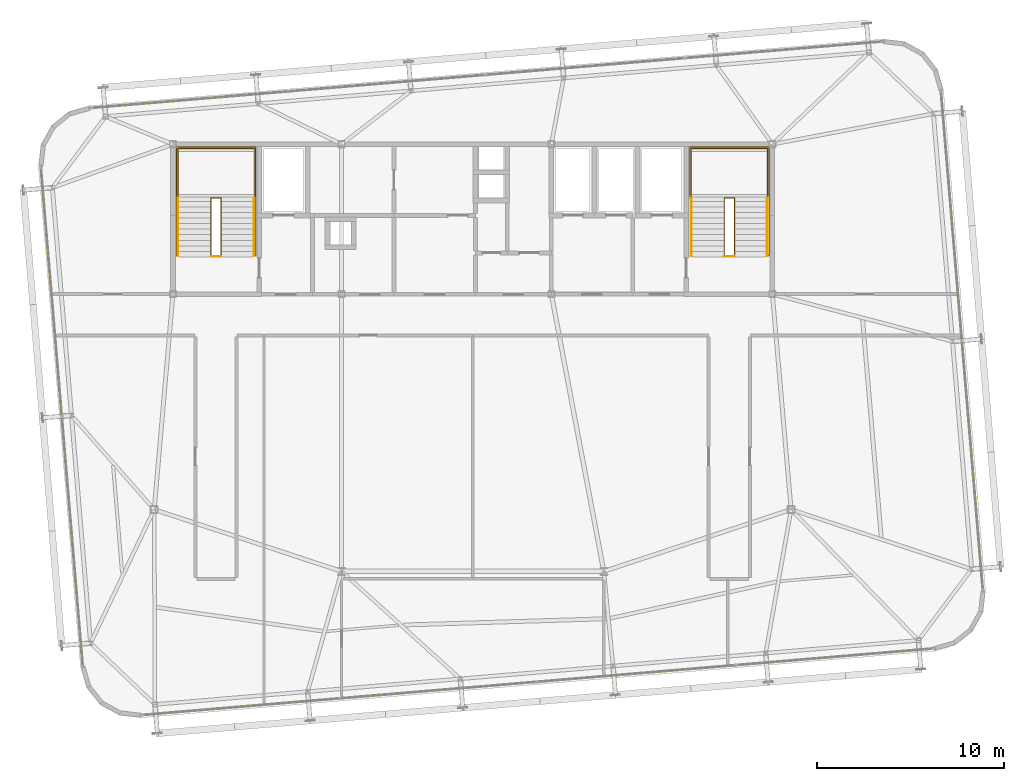
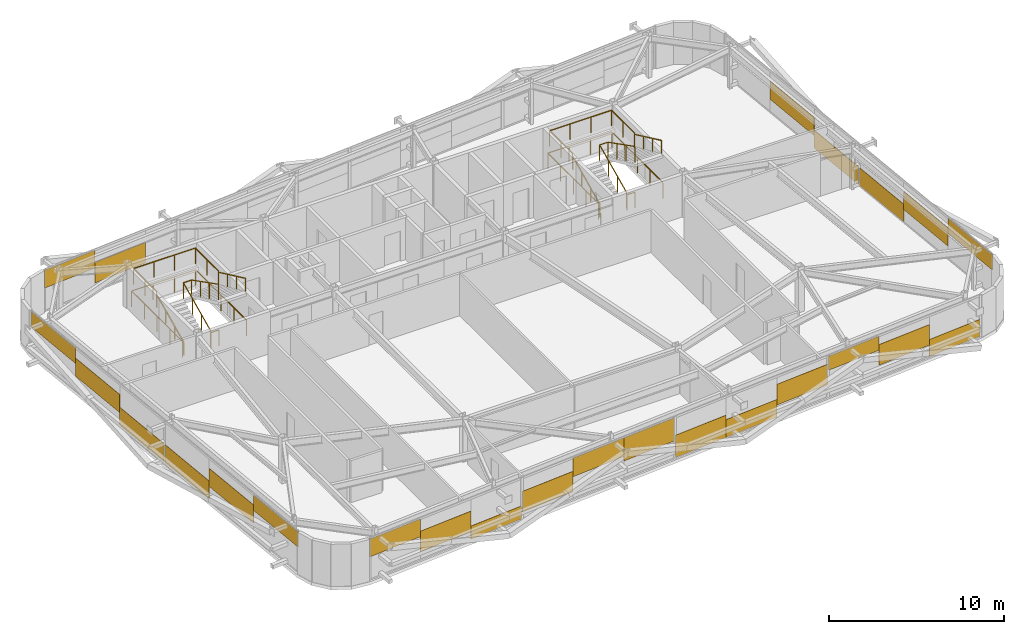
# One storey, part 36 of 37: 25 coverings, 12 railings.
"""IFC4 building model written with IfcOpenShell, lengths in metres."""

from ifc_helpers import new_model, si_unit, direction, frame, origin, origin_2d, place, context, subcontext, project, spatial, rectangle, extrude, source, transform, mapped, material, layer, layer_set, type_object, element, save


model = new_model("IFC4")

# Units and contexts
model_context = context("Model", 3, precision=1e-05, world=origin(), true_north=direction((0.0, 1.0)))
body_context = subcontext(model_context, "Body", "Model", "MODEL_VIEW")
ifc_project = project(units=[si_unit("LENGTHUNIT", "METRE"), si_unit("AREAUNIT", "SQUARE_METRE"), si_unit("VOLUMEUNIT", "CUBIC_METRE"), si_unit("PLANEANGLEUNIT", "RADIAN"), si_unit("MASSUNIT", "GRAM", prefix="KILO")], contexts=[model_context])

# Site, building, storey
site_placement = place(None, origin())
site = spatial("IfcSite", under=ifc_project, at=site_placement, CompositionType="ELEMENT")
building_placement = place(site_placement, origin())
building = spatial("IfcBuilding", under=site, at=building_placement, Name="Taldren Reach Tower", CompositionType="ELEMENT")
storey_placement = place(building_placement, frame((0.0, 0.0, 200.89990234375)))
storey = spatial("IfcBuildingStorey", under=building, at=storey_placement, Name="L61", CompositionType="ELEMENT", Elevation=200.89990234375)

# Railings
ifc_material_1 = material(Name="Steel Gr 350 (C350L0)", Category="steel")
ifc_layer_1 = layer(ifc_material_1, 0.050048828125)
ifc_layer_set_1 = layer_set([ifc_layer_1], Name="Steel Gr 350 (C350L0)")
railing_type_1 = type_object("IfcRailingType", Name="RL-STAIR-GR", PredefinedType="GUARDRAIL", material=ifc_layer_set_1)
railing_1_placement = place(storey_placement, frame((19.260009765625, 29.135009765625, 1.5751953125)))
element("IfcRailing", 1, at=railing_1_placement, inside=storey, type_object=railing_type_1, Name="Stair half-landing perimeter guard ST1-L61", PredefinedType="GUARDRAIL", context=body_context, shape_type="SweptSolid", body=[
    extrude(rectangle(XDim=0.047852, YDim=0.047852, at=origin_2d()), frame((0.0, 0.0, 1.09619140625), z_axis=(0.0, 1.0, 0.0), x_axis=(-1.0, 0.0, 0.0)), (0.0, 0.0, 1.0), 2.64501953125),
    extrude(rectangle(XDim=0.047852, YDim=0.047852, at=origin_2d()), frame((0.0, 2.64501953125, 1.09619140625), z_axis=(1.0, 0.0, 0.0), x_axis=(0.0, 1.0, 0.0)), (0.0, 0.0, 1.0), 4.080078125),
    extrude(rectangle(XDim=0.047852, YDim=0.047852, at=origin_2d()), frame((4.080078125, 2.64501953125, 1.09619140625), z_axis=(0.0, -1.0, 0.0), x_axis=(1.0, 0.0, 0.0)), (0.0, 0.0, 1.0), 2.64501953125),
    extrude(rectangle(XDim=0.041992, YDim=0.041992, at=origin_2d()), origin(), (0.0, 0.0, 1.0), 1.072021484375),
    extrude(rectangle(XDim=0.041992, YDim=0.041992, at=origin_2d()), frame((0.0, 1.322509765625, 0.0)), (0.0, 0.0, 1.0), 1.072021484375),
    extrude(rectangle(XDim=0.041992, YDim=0.041992, at=origin_2d()), frame((0.0, 2.64501953125, 0.0)), (0.0, 0.0, 1.0), 1.072021484375),
    extrude(rectangle(XDim=0.041992, YDim=0.041992, at=origin_2d()), frame((1.360107421875, 2.64501953125, 0.0)), (0.0, 0.0, 1.0), 1.072021484375),
    extrude(rectangle(XDim=0.041992, YDim=0.041992, at=origin_2d()), frame((2.719970703125, 2.64501953125, 0.0)), (0.0, 0.0, 1.0), 1.072021484375),
    extrude(rectangle(XDim=0.041992, YDim=0.041992, at=origin_2d()), frame((4.080078125, 2.64501953125, 0.0)), (0.0, 0.0, 1.0), 1.072021484375),
    extrude(rectangle(XDim=0.041992, YDim=0.041992, at=origin_2d()), frame((4.080078125, 1.322509765625, 0.0)), (0.0, 0.0, 1.0), 1.072021484375),
    extrude(rectangle(XDim=0.041992, YDim=0.041992, at=origin_2d()), frame((4.080078125, 0.0, 0.0)), (0.0, 0.0, 1.0), 1.072021484375),
])
railing_2_placement = place(storey_placement, frame((21.030029296875, 26.050048828125, 0.13134765625)))
element("IfcRailing", 2, at=railing_2_placement, inside=storey, type_object=railing_type_1, Name="Stairwell inner guard ST1-L61", PredefinedType="GUARDRAIL", context=body_context, shape_type="SweptSolid", body=[
    extrude(rectangle(XDim=0.047852, YDim=0.047852, at=origin_2d()), frame((0.0, 0.0, 1.09619140625), z_axis=(0.0, 0.905710134349, 0.423897573167), x_axis=(-1.0, 0.0, 0.0)), (0.0, 0.0, 1.0), 3.406005859375),
    extrude(rectangle(XDim=0.047852, YDim=0.047852, at=origin_2d()), frame((0.0, 3.0849609375, 2.5400390625), z_axis=(1.0, 0.0, 0.0), x_axis=(0.0, 1.0, 0.0)), (0.0, 0.0, 1.0), 0.5400390625),
    extrude(rectangle(XDim=0.047852, YDim=0.047852, at=origin_2d()), frame((0.5400390625, 3.0849609375, 2.5400390625), z_axis=(0.0, -0.890645957773, 0.45469745755), x_axis=(1.0, 0.0, 0.0)), (0.0, 0.0, 1.0), 3.463623046875),
    extrude(rectangle(XDim=0.041992, YDim=0.041992, at=origin_2d()), origin(), (0.0, 0.0, 1.0), 1.072021484375),
    extrude(rectangle(XDim=0.041992, YDim=0.041992, at=origin_2d()), frame((0.0, 1.0283203125, 0.481201171875)), (0.0, 0.0, 1.0), 1.072021484375),
    extrude(rectangle(XDim=0.041992, YDim=0.041992, at=origin_2d()), frame((0.0, 2.056640625, 0.962646484375)), (0.0, 0.0, 1.0), 1.072021484375),
    extrude(rectangle(XDim=0.041992, YDim=0.041992, at=origin_2d()), frame((0.0, 3.0849609375, 1.44384765625)), (0.0, 0.0, 1.0), 1.072021484375),
    extrude(rectangle(XDim=0.041992, YDim=0.041992, at=origin_2d()), frame((0.5400390625, 3.0849609375, 1.44384765625)), (0.0, 0.0, 1.0), 1.072021484375),
    extrude(rectangle(XDim=0.041992, YDim=0.041992, at=origin_2d()), frame((0.5400390625, 2.056640625, 1.96875)), (0.0, 0.0, 1.0), 1.072021484375),
    extrude(rectangle(XDim=0.041992, YDim=0.041992, at=origin_2d()), frame((0.5400390625, 1.0283203125, 2.493896484375)), (0.0, 0.0, 1.0), 1.072021484375),
    extrude(rectangle(XDim=0.041992, YDim=0.041992, at=origin_2d()), frame((0.5400390625, 0.0, 3.018798828125)), (0.0, 0.0, 1.0), 1.072021484375),
])
railing_3_placement = place(storey_placement, frame((21.030029296875, 26.010009765625, 0.0)))
element("IfcRailing", 3, at=railing_3_placement, inside=storey, type_object=railing_type_1, Name="Stairwell landing slot guard ST1-L61", PredefinedType="GUARDRAIL", context=body_context, shape_type="SweptSolid", body=[
    extrude(rectangle(XDim=0.047852, YDim=0.047852, at=origin_2d()), frame((0.0, 0.0, 1.09619140625), z_axis=(1.0, 0.0, 0.0), x_axis=(0.0, 1.0, 0.0)), (0.0, 0.0, 1.0), 0.5400390625),
    extrude(rectangle(XDim=0.041992, YDim=0.041992, at=origin_2d()), origin(), (0.0, 0.0, 1.0), 1.072021484375),
    extrude(rectangle(XDim=0.041992, YDim=0.041992, at=origin_2d()), frame((0.5400390625, 0.0, 0.0)), (0.0, 0.0, 1.0), 1.072021484375),
])
railing_4_placement = place(storey_placement, frame((19.18994140625, 26.050048828125, 0.0)))
element("IfcRailing", 4, at=railing_4_placement, inside=storey, type_object=railing_type_1, Name="Stairwell floor opening guard ST1-L61", PredefinedType="GUARDRAIL", context=body_context, shape_type="SweptSolid", body=[
    extrude(rectangle(XDim=0.047852, YDim=0.047852, at=origin_2d()), frame((0.0, 0.0, 1.09619140625), z_axis=(0.0, 1.0, 0.0), x_axis=(-1.0, 0.0, 0.0)), (0.0, 0.0, 1.0), 5.800048828125),
    extrude(rectangle(XDim=0.047852, YDim=0.047852, at=origin_2d()), frame((0.0, 5.800048828125, 1.09619140625), z_axis=(1.0, 0.0, 0.0), x_axis=(0.0, 1.0, 0.0)), (0.0, 0.0, 1.0), 4.219970703125),
    extrude(rectangle(XDim=0.047852, YDim=0.047852, at=origin_2d()), frame((4.219970703125, 5.800048828125, 1.09619140625), z_axis=(0.0, -1.0, 0.0), x_axis=(1.0, 0.0, 0.0)), (0.0, 0.0, 1.0), 5.800048828125),
    extrude(rectangle(XDim=0.041992, YDim=0.041992, at=origin_2d()), origin(), (0.0, 0.0, 1.0), 1.072021484375),
    extrude(rectangle(XDim=0.041992, YDim=0.041992, at=origin_2d()), frame((0.0, 1.449951171875, 0.0)), (0.0, 0.0, 1.0), 1.072021484375),
    extrude(rectangle(XDim=0.041992, YDim=0.041992, at=origin_2d()), frame((0.0, 2.89990234375, 0.0)), (0.0, 0.0, 1.0), 1.072021484375),
    extrude(rectangle(XDim=0.041992, YDim=0.041992, at=origin_2d()), frame((0.0, 4.35009765625, 0.0)), (0.0, 0.0, 1.0), 1.072021484375),
    extrude(rectangle(XDim=0.041992, YDim=0.041992, at=origin_2d()), frame((0.0, 5.800048828125, 0.0)), (0.0, 0.0, 1.0), 1.072021484375),
    extrude(rectangle(XDim=0.041992, YDim=0.041992, at=origin_2d()), frame((1.40673828125, 5.800048828125, 0.0)), (0.0, 0.0, 1.0), 1.072021484375),
    extrude(rectangle(XDim=0.041992, YDim=0.041992, at=origin_2d()), frame((2.813232421875, 5.800048828125, 0.0)), (0.0, 0.0, 1.0), 1.072021484375),
    extrude(rectangle(XDim=0.041992, YDim=0.041992, at=origin_2d()), frame((4.219970703125, 5.800048828125, 0.0)), (0.0, 0.0, 1.0), 1.072021484375),
    extrude(rectangle(XDim=0.041992, YDim=0.041992, at=origin_2d()), frame((4.219970703125, 4.35009765625, 0.0)), (0.0, 0.0, 1.0), 1.072021484375),
    extrude(rectangle(XDim=0.041992, YDim=0.041992, at=origin_2d()), frame((4.219970703125, 2.89990234375, 0.0)), (0.0, 0.0, 1.0), 1.072021484375),
    extrude(rectangle(XDim=0.041992, YDim=0.041992, at=origin_2d()), frame((4.219970703125, 1.449951171875, 0.0)), (0.0, 0.0, 1.0), 1.072021484375),
    extrude(rectangle(XDim=0.041992, YDim=0.041992, at=origin_2d()), frame((4.219970703125, 0.0, 0.0)), (0.0, 0.0, 1.0), 1.072021484375),
])
railing_5_placement = place(storey_placement, frame((46.659912109375, 29.135009765625, 1.5751953125)))
element("IfcRailing", 5, at=railing_5_placement, inside=storey, type_object=railing_type_1, Name="Stair half-landing perimeter guard ST2-L61", PredefinedType="GUARDRAIL", context=body_context, shape_type="SweptSolid", body=[
    extrude(rectangle(XDim=0.047852, YDim=0.047852, at=origin_2d()), frame((0.0, 0.0, 1.09619140625), z_axis=(0.0, 1.0, 0.0), x_axis=(-1.0, 0.0, 0.0)), (0.0, 0.0, 1.0), 2.64501953125),
    extrude(rectangle(XDim=0.047852, YDim=0.047852, at=origin_2d()), frame((0.0, 2.64501953125, 1.09619140625), z_axis=(1.0, 0.0, 0.0), x_axis=(0.0, 1.0, 0.0)), (0.0, 0.0, 1.0), 4.080078125),
    extrude(rectangle(XDim=0.047852, YDim=0.047852, at=origin_2d()), frame((4.080078125, 2.64501953125, 1.09619140625), z_axis=(0.0, -1.0, 0.0), x_axis=(1.0, 0.0, 0.0)), (0.0, 0.0, 1.0), 2.64501953125),
    extrude(rectangle(XDim=0.041992, YDim=0.041992, at=origin_2d()), origin(), (0.0, 0.0, 1.0), 1.072021484375),
    extrude(rectangle(XDim=0.041992, YDim=0.041992, at=origin_2d()), frame((0.0, 1.322509765625, 0.0)), (0.0, 0.0, 1.0), 1.072021484375),
    extrude(rectangle(XDim=0.041992, YDim=0.041992, at=origin_2d()), frame((0.0, 2.64501953125, 0.0)), (0.0, 0.0, 1.0), 1.072021484375),
    extrude(rectangle(XDim=0.041992, YDim=0.041992, at=origin_2d()), frame((1.360107421875, 2.64501953125, 0.0)), (0.0, 0.0, 1.0), 1.072021484375),
    extrude(rectangle(XDim=0.041992, YDim=0.041992, at=origin_2d()), frame((2.719970703125, 2.64501953125, 0.0)), (0.0, 0.0, 1.0), 1.072021484375),
    extrude(rectangle(XDim=0.041992, YDim=0.041992, at=origin_2d()), frame((4.080078125, 2.64501953125, 0.0)), (0.0, 0.0, 1.0), 1.072021484375),
    extrude(rectangle(XDim=0.041992, YDim=0.041992, at=origin_2d()), frame((4.080078125, 1.322509765625, 0.0)), (0.0, 0.0, 1.0), 1.072021484375),
    extrude(rectangle(XDim=0.041992, YDim=0.041992, at=origin_2d()), frame((4.080078125, 0.0, 0.0)), (0.0, 0.0, 1.0), 1.072021484375),
])
railing_6_placement = place(storey_placement, frame((48.429931640625, 26.050048828125, 0.13134765625)))
element("IfcRailing", 6, at=railing_6_placement, inside=storey, type_object=railing_type_1, Name="Stairwell inner guard ST2-L61", PredefinedType="GUARDRAIL", context=body_context, shape_type="SweptSolid", body=[
    extrude(rectangle(XDim=0.047852, YDim=0.047852, at=origin_2d()), frame((0.0, 0.0, 1.09619140625), z_axis=(0.0, 0.905710134349, 0.423897573167), x_axis=(-1.0, 0.0, 0.0)), (0.0, 0.0, 1.0), 3.406005859375),
    extrude(rectangle(XDim=0.047852, YDim=0.047852, at=origin_2d()), frame((0.0, 3.0849609375, 2.5400390625), z_axis=(1.0, 0.0, 0.0), x_axis=(0.0, 1.0, 0.0)), (0.0, 0.0, 1.0), 0.5400390625),
    extrude(rectangle(XDim=0.047852, YDim=0.047852, at=origin_2d()), frame((0.5400390625, 3.0849609375, 2.5400390625), z_axis=(0.0, -0.890645957773, 0.45469745755), x_axis=(1.0, 0.0, 0.0)), (0.0, 0.0, 1.0), 3.463623046875),
    extrude(rectangle(XDim=0.041992, YDim=0.041992, at=origin_2d()), origin(), (0.0, 0.0, 1.0), 1.072021484375),
    extrude(rectangle(XDim=0.041992, YDim=0.041992, at=origin_2d()), frame((0.0, 1.0283203125, 0.481201171875)), (0.0, 0.0, 1.0), 1.072021484375),
    extrude(rectangle(XDim=0.041992, YDim=0.041992, at=origin_2d()), frame((0.0, 2.056640625, 0.962646484375)), (0.0, 0.0, 1.0), 1.072021484375),
    extrude(rectangle(XDim=0.041992, YDim=0.041992, at=origin_2d()), frame((0.0, 3.0849609375, 1.44384765625)), (0.0, 0.0, 1.0), 1.072021484375),
    extrude(rectangle(XDim=0.041992, YDim=0.041992, at=origin_2d()), frame((0.5400390625, 3.0849609375, 1.44384765625)), (0.0, 0.0, 1.0), 1.072021484375),
    extrude(rectangle(XDim=0.041992, YDim=0.041992, at=origin_2d()), frame((0.5400390625, 2.056640625, 1.96875)), (0.0, 0.0, 1.0), 1.072021484375),
    extrude(rectangle(XDim=0.041992, YDim=0.041992, at=origin_2d()), frame((0.5400390625, 1.0283203125, 2.493896484375)), (0.0, 0.0, 1.0), 1.072021484375),
    extrude(rectangle(XDim=0.041992, YDim=0.041992, at=origin_2d()), frame((0.5400390625, 0.0, 3.018798828125)), (0.0, 0.0, 1.0), 1.072021484375),
])
railing_7_placement = place(storey_placement, frame((48.429931640625, 26.010009765625, 0.0)))
element("IfcRailing", 7, at=railing_7_placement, inside=storey, type_object=railing_type_1, Name="Stairwell landing slot guard ST2-L61", PredefinedType="GUARDRAIL", context=body_context, shape_type="SweptSolid", body=[
    extrude(rectangle(XDim=0.047852, YDim=0.047852, at=origin_2d()), frame((0.0, 0.0, 1.09619140625), z_axis=(1.0, 0.0, 0.0), x_axis=(0.0, 1.0, 0.0)), (0.0, 0.0, 1.0), 0.5400390625),
    extrude(rectangle(XDim=0.041992, YDim=0.041992, at=origin_2d()), origin(), (0.0, 0.0, 1.0), 1.072021484375),
    extrude(rectangle(XDim=0.041992, YDim=0.041992, at=origin_2d()), frame((0.5400390625, 0.0, 0.0)), (0.0, 0.0, 1.0), 1.072021484375),
])
railing_8_placement = place(storey_placement, frame((46.590087890625, 26.050048828125, 0.0)))
element("IfcRailing", 8, at=railing_8_placement, inside=storey, type_object=railing_type_1, Name="Stairwell floor opening guard ST2-L61", PredefinedType="GUARDRAIL", context=body_context, shape_type="SweptSolid", body=[
    extrude(rectangle(XDim=0.047852, YDim=0.047852, at=origin_2d()), frame((0.0, 0.0, 1.09619140625), z_axis=(0.0, 1.0, 0.0), x_axis=(-1.0, 0.0, 0.0)), (0.0, 0.0, 1.0), 5.800048828125),
    extrude(rectangle(XDim=0.047852, YDim=0.047852, at=origin_2d()), frame((0.0, 5.800048828125, 1.09619140625), z_axis=(1.0, 0.0, 0.0), x_axis=(0.0, 1.0, 0.0)), (0.0, 0.0, 1.0), 4.219970703125),
    extrude(rectangle(XDim=0.047852, YDim=0.047852, at=origin_2d()), frame((4.219970703125, 5.800048828125, 1.09619140625), z_axis=(0.0, -1.0, 0.0), x_axis=(1.0, 0.0, 0.0)), (0.0, 0.0, 1.0), 5.800048828125),
    extrude(rectangle(XDim=0.041992, YDim=0.041992, at=origin_2d()), origin(), (0.0, 0.0, 1.0), 1.072021484375),
    extrude(rectangle(XDim=0.041992, YDim=0.041992, at=origin_2d()), frame((0.0, 1.449951171875, 0.0)), (0.0, 0.0, 1.0), 1.072021484375),
    extrude(rectangle(XDim=0.041992, YDim=0.041992, at=origin_2d()), frame((0.0, 2.89990234375, 0.0)), (0.0, 0.0, 1.0), 1.072021484375),
    extrude(rectangle(XDim=0.041992, YDim=0.041992, at=origin_2d()), frame((0.0, 4.35009765625, 0.0)), (0.0, 0.0, 1.0), 1.072021484375),
    extrude(rectangle(XDim=0.041992, YDim=0.041992, at=origin_2d()), frame((0.0, 5.800048828125, 0.0)), (0.0, 0.0, 1.0), 1.072021484375),
    extrude(rectangle(XDim=0.041992, YDim=0.041992, at=origin_2d()), frame((1.40673828125, 5.800048828125, 0.0)), (0.0, 0.0, 1.0), 1.072021484375),
    extrude(rectangle(XDim=0.041992, YDim=0.041992, at=origin_2d()), frame((2.813232421875, 5.800048828125, 0.0)), (0.0, 0.0, 1.0), 1.072021484375),
    extrude(rectangle(XDim=0.041992, YDim=0.041992, at=origin_2d()), frame((4.219970703125, 5.800048828125, 0.0)), (0.0, 0.0, 1.0), 1.072021484375),
    extrude(rectangle(XDim=0.041992, YDim=0.041992, at=origin_2d()), frame((4.219970703125, 4.35009765625, 0.0)), (0.0, 0.0, 1.0), 1.072021484375),
    extrude(rectangle(XDim=0.041992, YDim=0.041992, at=origin_2d()), frame((4.219970703125, 2.89990234375, 0.0)), (0.0, 0.0, 1.0), 1.072021484375),
    extrude(rectangle(XDim=0.041992, YDim=0.041992, at=origin_2d()), frame((4.219970703125, 1.449951171875, 0.0)), (0.0, 0.0, 1.0), 1.072021484375),
    extrude(rectangle(XDim=0.041992, YDim=0.041992, at=origin_2d()), frame((4.219970703125, 0.0, 0.0)), (0.0, 0.0, 1.0), 1.072021484375),
])
ifc_material_2 = material(Name="Stainless Steel Gr 316", Category="steel")
ifc_layer_2 = layer(ifc_material_2, 0.048095703125)
ifc_layer_set_2 = layer_set([ifc_layer_2], Name="Stainless Steel Gr 316")
railing_type_2 = type_object("IfcRailingType", Name="RL-STAIR-HR", PredefinedType="HANDRAIL", material=ifc_layer_set_2)
railing_9_placement = place(storey_placement, frame((19.27001953125, 26.050048828125, 0.13134765625)))
element("IfcRailing", 9, at=railing_9_placement, inside=storey, type_object=railing_type_2, Name="Stair flight handrail ST1-L61-1", PredefinedType="HANDRAIL", context=body_context, shape_type="SweptSolid", body=[
    extrude(rectangle(XDim=0.047852, YDim=0.047852, at=origin_2d()), frame((0.0, 0.0, 0.89599609375), z_axis=(0.0, 0.905710134349, 0.423897573167), x_axis=(-1.0, 0.0, 0.0)), (0.0, 0.0, 1.0), 3.406005859375),
    extrude(rectangle(XDim=0.041992, YDim=0.041992, at=origin_2d()), origin(), (0.0, 0.0, 1.0), 0.871826171875),
    extrude(rectangle(XDim=0.041992, YDim=0.041992, at=origin_2d()), frame((0.0, 1.0283203125, 0.481201171875)), (0.0, 0.0, 1.0), 0.871826171875),
    extrude(rectangle(XDim=0.041992, YDim=0.041992, at=origin_2d()), frame((0.0, 2.056640625, 0.962646484375)), (0.0, 0.0, 1.0), 0.871826171875),
    extrude(rectangle(XDim=0.041992, YDim=0.041992, at=origin_2d()), frame((0.0, 3.0849609375, 1.44384765625)), (0.0, 0.0, 1.0), 0.871826171875),
])
railing_10_placement = place(storey_placement, frame((23.330078125, 29.135009765625, 1.706298828125)))
element("IfcRailing", 10, at=railing_10_placement, inside=storey, type_object=railing_type_2, Name="Stair flight handrail ST1-L61-2", PredefinedType="HANDRAIL", context=body_context, shape_type="SweptSolid", body=[
    extrude(rectangle(XDim=0.047852, YDim=0.047852, at=origin_2d()), frame((0.0, 0.0, 0.89599609375), z_axis=(0.0, -0.905710134349, 0.423897573167), x_axis=(1.0, 0.0, 0.0)), (0.0, 0.0, 1.0), 3.406005859375),
    extrude(rectangle(XDim=0.041992, YDim=0.041992, at=origin_2d()), origin(), (0.0, 0.0, 1.0), 0.871826171875),
    extrude(rectangle(XDim=0.041992, YDim=0.041992, at=origin_2d()), frame((0.0, -1.0283203125, 0.481201171875)), (0.0, 0.0, 1.0), 0.871826171875),
    extrude(rectangle(XDim=0.041992, YDim=0.041992, at=origin_2d()), frame((0.0, -2.056640625, 0.962646484375)), (0.0, 0.0, 1.0), 0.871826171875),
    extrude(rectangle(XDim=0.041992, YDim=0.041992, at=origin_2d()), frame((0.0, -3.0849609375, 1.44384765625)), (0.0, 0.0, 1.0), 0.871826171875),
])
railing_11_placement = place(storey_placement, frame((46.669921875, 26.050048828125, 0.13134765625)))
element("IfcRailing", 11, at=railing_11_placement, inside=storey, type_object=railing_type_2, Name="Stair flight handrail ST2-L61-1", PredefinedType="HANDRAIL", context=body_context, shape_type="SweptSolid", body=[
    extrude(rectangle(XDim=0.047852, YDim=0.047852, at=origin_2d()), frame((0.0, 0.0, 0.89599609375), z_axis=(0.0, 0.905710134349, 0.423897573167), x_axis=(-1.0, 0.0, 0.0)), (0.0, 0.0, 1.0), 3.406005859375),
    extrude(rectangle(XDim=0.041992, YDim=0.041992, at=origin_2d()), origin(), (0.0, 0.0, 1.0), 0.871826171875),
    extrude(rectangle(XDim=0.041992, YDim=0.041992, at=origin_2d()), frame((0.0, 1.0283203125, 0.481201171875)), (0.0, 0.0, 1.0), 0.871826171875),
    extrude(rectangle(XDim=0.041992, YDim=0.041992, at=origin_2d()), frame((0.0, 2.056640625, 0.962646484375)), (0.0, 0.0, 1.0), 0.871826171875),
    extrude(rectangle(XDim=0.041992, YDim=0.041992, at=origin_2d()), frame((0.0, 3.0849609375, 1.44384765625)), (0.0, 0.0, 1.0), 0.871826171875),
])
railing_12_placement = place(storey_placement, frame((50.72998046875, 29.135009765625, 1.706298828125)))
element("IfcRailing", 12, at=railing_12_placement, inside=storey, type_object=railing_type_2, Name="Stair flight handrail ST2-L61-2", PredefinedType="HANDRAIL", context=body_context, shape_type="SweptSolid", body=[
    extrude(rectangle(XDim=0.047852, YDim=0.047852, at=origin_2d()), frame((0.0, 0.0, 0.89599609375), z_axis=(0.0, -0.905710134349, 0.423897573167), x_axis=(1.0, 0.0, 0.0)), (0.0, 0.0, 1.0), 3.406005859375),
    extrude(rectangle(XDim=0.041992, YDim=0.041992, at=origin_2d()), origin(), (0.0, 0.0, 1.0), 0.871826171875),
    extrude(rectangle(XDim=0.041992, YDim=0.041992, at=origin_2d()), frame((0.0, -1.0283203125, 0.481201171875)), (0.0, 0.0, 1.0), 0.871826171875),
    extrude(rectangle(XDim=0.041992, YDim=0.041992, at=origin_2d()), frame((0.0, -2.056640625, 0.962646484375)), (0.0, 0.0, 1.0), 0.871826171875),
    extrude(rectangle(XDim=0.041992, YDim=0.041992, at=origin_2d()), frame((0.0, -3.0849609375, 1.44384765625)), (0.0, 0.0, 1.0), 0.871826171875),
])

# Coverings
ifc_material_3 = material(Name="Pale Champagne Fluoropolymer Aluminium Spandrel Cladding", Category="aluminium")
ifc_layer_3 = layer(ifc_material_3, 0.0439453125)
ifc_layer_set_3 = layer_set([ifc_layer_3], Name="Pale Champagne Fluoropolymer Aluminium Spandrel Cladding")
covering_type = type_object("IfcCoveringType", Name="CV-CLAD-044", PredefinedType="CLADDING", material=ifc_layer_set_3)
shared_shape_1 = source(origin(), body_context, "Body", "SweptSolid", [
    extrude(rectangle(XDim=3.506591796875, YDim=0.0439453125, at=origin_2d()), origin(), (0.0, 0.0, 1.0), 1.177734375),
])
covering_1_placement = place(storey_placement, frame((57.819091796875, 4.922607421875, 0.06005859375), z_axis=(0.0, 0.0, 1.0), x_axis=(0.996492854922, 0.083677894865, 0.0)))
element("IfcCovering", 13, at=covering_1_placement, inside=storey, type_object=covering_type, Name="Diagrid closure cladding strip CW-5 panel 4.1 3", PredefinedType="CLADDING", context=body_context, shape_type="MappedRepresentation", body=[
    mapped(shared_shape_1, transform((0.0, 0.0, 0.0), scale=1.0)),
])
shared_shape_2 = source(origin(), body_context, "Body", "SweptSolid", [
    extrude(rectangle(XDim=3.506591796875, YDim=0.0439453125, at=origin_2d()), origin(), (0.0, 0.0, 1.0), 1.42724609375),
])
for number, where, z_axis, x_axis, name in (
    (14, (22.596435546875, 1.96484375, 0.5908203125), (0.0, 0.0, 1.0), (0.996492854922, 0.083677894865, 0.0), "Diagrid closure cladding strip CW-5 panel 1.1 2"),
    (15, (54.32470703125, 4.629150390625, 0.852294921875), (0.0, 0.0, 1.0), (0.996492854922, 0.083677894865, 0.0), "Diagrid closure cladding strip CW-5 panel 4.1 2"),
    (16, (19.875244140625, 34.370849609375, 0.5908203125), (0.0, 0.0, 1.0), (-0.99649285657, -0.083677875247, 0.0), "Diagrid closure cladding strip CW-5 panel 4.1 2"),
):
    element("IfcCovering", number, at=place(storey_placement, frame(where, z_axis=z_axis, x_axis=x_axis)), inside=storey, type_object=covering_type, Name=name, PredefinedType="CLADDING", context=body_context, shape_type="MappedRepresentation", body=[
        mapped(shared_shape_2, transform((0.0, 0.0, 0.0), scale=1.0)),
    ])
shared_shape_3 = source(origin(), body_context, "Body", "SweptSolid", [
    extrude(rectangle(XDim=3.506591796875, YDim=0.0439453125, at=origin_2d()), origin(), (0.0, 0.0, 1.0), 0.976318359375),
])
covering_2_placement = place(storey_placement, frame((50.830322265625, 4.335693359375, 1.89404296875), z_axis=(0.0, 0.0, 1.0), x_axis=(0.996492854922, 0.083677894865, 0.0)))
element("IfcCovering", 17, at=covering_2_placement, inside=storey, type_object=covering_type, Name="Diagrid closure cladding strip CW-5 panel 4.1 1", PredefinedType="CLADDING", context=body_context, shape_type="MappedRepresentation", body=[
    mapped(shared_shape_3, transform((0.0, 0.0, 0.0), scale=1.0)),
])
shared_shape_4 = source(origin(), body_context, "Body", "SweptSolid", [
    extrude(rectangle(XDim=3.518310546875, YDim=0.0439453125, at=origin_2d()), origin(), (0.0, 0.0, 1.0), 1.4306640625),
])
for number, where, z_axis, x_axis, name in (
    (18, (29.66064453125, 2.55810546875, 0.5263671875), (0.0, 0.0, 1.0), (0.996492854922, 0.083677894865, 0.0), "Diagrid closure cladding strip CW-5 panel 2.1 1"),
    (19, (47.260498046875, 4.035888671875, 0.9130859375), (0.0, 0.0, 1.0), (0.996492854922, 0.083677894865, 0.0), "Diagrid closure cladding strip CW-5 panel 3.1 3"),
):
    element("IfcCovering", number, at=place(storey_placement, frame(where, z_axis=z_axis, x_axis=x_axis)), inside=storey, type_object=covering_type, Name=name, PredefinedType="CLADDING", context=body_context, shape_type="MappedRepresentation", body=[
        mapped(shared_shape_4, transform((0.0, 0.0, 0.0), scale=1.0)),
    ])
shared_shape_5 = source(origin(), body_context, "Body", "SweptSolid", [
    extrude(rectangle(XDim=3.518310546875, YDim=0.0439453125, at=origin_2d()), origin(), (0.0, 0.0, 1.0), 1.238525390625),
])
covering_3_placement = place(storey_placement, frame((43.75439453125, 3.741455078125, 0.06005859375), z_axis=(0.0, 0.0, 1.0), x_axis=(0.996492854922, 0.083677894865, 0.0)))
element("IfcCovering", 20, at=covering_3_placement, inside=storey, type_object=covering_type, Name="Diagrid closure cladding strip CW-5 panel 3.1 2", PredefinedType="CLADDING", context=body_context, shape_type="MappedRepresentation", body=[
    mapped(shared_shape_5, transform((0.0, 0.0, 0.0), scale=1.0)),
])
shared_shape_6 = source(origin(), body_context, "Body", "SweptSolid", [
    extrude(rectangle(XDim=3.518310546875, YDim=0.0439453125, at=origin_2d()), origin(), (0.0, 0.0, 1.0), 1.557373046875),
])
covering_4_placement = place(storey_placement, frame((40.24853515625, 3.447265625, 0.06005859375), z_axis=(0.0, 0.0, 1.0), x_axis=(0.996492854922, 0.083677894865, 0.0)))
element("IfcCovering", 21, at=covering_4_placement, inside=storey, type_object=covering_type, Name="Diagrid closure cladding strip CW-5 panel 3.1 1", PredefinedType="CLADDING", context=body_context, shape_type="MappedRepresentation", body=[
    mapped(shared_shape_6, transform((0.0, 0.0, 0.0), scale=1.0)),
])
shared_shape_7 = source(origin(), body_context, "Body", "SweptSolid", [
    extrude(rectangle(XDim=3.518310546875, YDim=0.0439453125, at=origin_2d()), origin(), (0.0, 0.0, 1.0), 1.617431640625),
])
covering_5_placement = place(storey_placement, frame((36.672607421875, 3.14697265625, 1.2529296875), z_axis=(0.0, 0.0, 1.0), x_axis=(0.996492854922, 0.083677894865, 0.0)))
element("IfcCovering", 22, at=covering_5_placement, inside=storey, type_object=covering_type, Name="Diagrid closure cladding strip CW-5 panel 2.1 3", PredefinedType="CLADDING", context=body_context, shape_type="MappedRepresentation", body=[
    mapped(shared_shape_7, transform((0.0, 0.0, 0.0), scale=1.0)),
])
shared_shape_8 = source(origin(), body_context, "Body", "SweptSolid", [
    extrude(rectangle(XDim=3.518310546875, YDim=0.0439453125, at=origin_2d()), origin(), (0.0, 0.0, 1.0), 1.298583984375),
])
covering_6_placement = place(storey_placement, frame((33.166748046875, 2.8525390625, 1.57177734375), z_axis=(0.0, 0.0, 1.0), x_axis=(0.996492854922, 0.083677894865, 0.0)))
element("IfcCovering", 23, at=covering_6_placement, inside=storey, type_object=covering_type, Name="Diagrid closure cladding strip CW-5 panel 2.1 2", PredefinedType="CLADDING", context=body_context, shape_type="MappedRepresentation", body=[
    mapped(shared_shape_8, transform((0.0, 0.0, 0.0), scale=1.0)),
])
shared_shape_9 = source(origin(), body_context, "Body", "SweptSolid", [
    extrude(rectangle(XDim=3.506591796875, YDim=0.0439453125, at=origin_2d()), origin(), (0.0, 0.0, 1.0), 0.916259765625),
])
covering_7_placement = place(storey_placement, frame((26.0908203125, 2.25830078125, 0.06005859375), z_axis=(0.0, 0.0, 1.0), x_axis=(0.996492854922, 0.083677894865, 0.0)))
element("IfcCovering", 24, at=covering_7_placement, inside=storey, type_object=covering_type, Name="Diagrid closure cladding strip CW-5 panel 1.1 3", PredefinedType="CLADDING", context=body_context, shape_type="MappedRepresentation", body=[
    mapped(shared_shape_9, transform((0.0, 0.0, 0.0), scale=1.0)),
])
shared_shape_10 = source(origin(), body_context, "Body", "SweptSolid", [
    extrude(rectangle(XDim=3.506591796875, YDim=0.0439453125, at=origin_2d()), origin(), (0.0, 0.0, 1.0), 1.237548828125),
])
for number, where, z_axis, x_axis, name in (
    (25, (19.10205078125, 1.67138671875, 1.63232421875), (0.0, 0.0, 1.0), (0.996492854922, 0.083677894865, 0.0), "Diagrid closure cladding strip CW-5 panel 1.1 1"),
    (26, (16.380859375, 34.077392578125, 1.63232421875), (0.0, 0.0, 1.0), (-0.99649285657, -0.083677875247, 0.0), "Diagrid closure cladding strip CW-5 panel 4.1 3"),
):
    element("IfcCovering", number, at=place(storey_placement, frame(where, z_axis=z_axis, x_axis=x_axis)), inside=storey, type_object=covering_type, Name=name, PredefinedType="CLADDING", context=body_context, shape_type="MappedRepresentation", body=[
        mapped(shared_shape_10, transform((0.0, 0.0, 0.0), scale=1.0)),
    ])
shared_shape_11 = source(origin(), body_context, "Body", "SweptSolid", [
    extrude(rectangle(XDim=4.431640625, YDim=0.0439453125, at=origin_2d()), origin(), (0.0, 0.0, 1.0), 1.259765625),
])
for number, where, z_axis, x_axis, name in (
    (27, (12.515380859375, 24.1416015625, 0.921142578125), (0.0, 0.0, 1.0), (0.083677979808, -0.996492847789, 0.0), "Diagrid closure cladding strip CW-5 panel 1.1 2"),
    (28, (13.6337890625, 10.823486328125, 0.921142578125), (0.0, 0.0, 1.0), (0.083677979808, -0.996492847789, 0.0), "Diagrid closure cladding strip CW-5 panel 2.1 2"),
    (29, (61.6845703125, 14.8583984375, 0.921142578125), (0.0, 0.0, 1.0), (-0.083677979808, 0.996492847789, 0.0), "Diagrid closure cladding strip CW-5 panel 1.1 2"),
    (30, (60.566162109375, 28.176513671875, 0.921142578125), (0.0, 0.0, 1.0), (-0.083677979808, 0.996492847789, 0.0), "Diagrid closure cladding strip CW-5 panel 2.1 2"),
):
    element("IfcCovering", number, at=place(storey_placement, frame(where, z_axis=z_axis, x_axis=x_axis)), inside=storey, type_object=covering_type, Name=name, PredefinedType="CLADDING", context=body_context, shape_type="MappedRepresentation", body=[
        mapped(shared_shape_11, transform((0.0, 0.0, 0.0), scale=1.0)),
    ])
shared_shape_12 = source(origin(), body_context, "Body", "SweptSolid", [
    extrude(rectangle(XDim=4.431640625, YDim=0.0439453125, at=origin_2d()), origin(), (0.0, 0.0, 1.0), 1.066162109375),
])
for number, where, z_axis, x_axis, name in (
    (31, (12.14453125, 28.5576171875, 1.8037109375), (0.0, 0.0, 1.0), (0.083677979808, -0.996492847789, 0.0), "Diagrid closure cladding strip CW-5 panel 1.1 1"),
    (32, (14.004638671875, 6.4072265625, 1.8037109375), (0.0, 0.0, 1.0), (0.083677979808, -0.996492847789, 0.0), "Diagrid closure cladding strip CW-5 panel 2.1 3"),
    (33, (62.055419921875, 10.4423828125, 1.8037109375), (0.0, 0.0, 1.0), (-0.083677979808, 0.996492847789, 0.0), "Diagrid closure cladding strip CW-5 panel 1.1 1"),
):
    element("IfcCovering", number, at=place(storey_placement, frame(where, z_axis=z_axis, x_axis=x_axis)), inside=storey, type_object=covering_type, Name=name, PredefinedType="CLADDING", context=body_context, shape_type="MappedRepresentation", body=[
        mapped(shared_shape_12, transform((0.0, 0.0, 0.0), scale=1.0)),
    ])
shared_shape_13 = source(origin(), body_context, "Body", "SweptSolid", [
    extrude(rectangle(XDim=4.431640625, YDim=0.0439453125, at=origin_2d()), origin(), (0.0, 0.0, 1.0), 1.23828125),
])
for number, where, z_axis, x_axis, name in (
    (34, (12.88623046875, 19.7255859375, 0.06005859375), (0.0, 0.0, 1.0), (0.083677979808, -0.996492847789, 0.0), "Diagrid closure cladding strip CW-5 panel 1.1 3"),
    (35, (13.262939453125, 15.239501953125, 0.06005859375), (0.0, 0.0, 1.0), (0.083677979808, -0.996492847789, 0.0), "Diagrid closure cladding strip CW-5 panel 2.1 1"),
    (36, (61.313720703125, 19.2744140625, 0.06005859375), (0.0, 0.0, 1.0), (-0.083677979808, 0.996492847789, 0.0), "Diagrid closure cladding strip CW-5 panel 1.1 3"),
    (37, (60.93701171875, 23.760498046875, 0.06005859375), (0.0, 0.0, 1.0), (-0.083677979808, 0.996492847789, 0.0), "Diagrid closure cladding strip CW-5 panel 2.1 1"),
):
    element("IfcCovering", number, at=place(storey_placement, frame(where, z_axis=z_axis, x_axis=x_axis)), inside=storey, type_object=covering_type, Name=name, PredefinedType="CLADDING", context=body_context, shape_type="MappedRepresentation", body=[
        mapped(shared_shape_13, transform((0.0, 0.0, 0.0), scale=1.0)),
    ])

save(model, "model.ifc")
